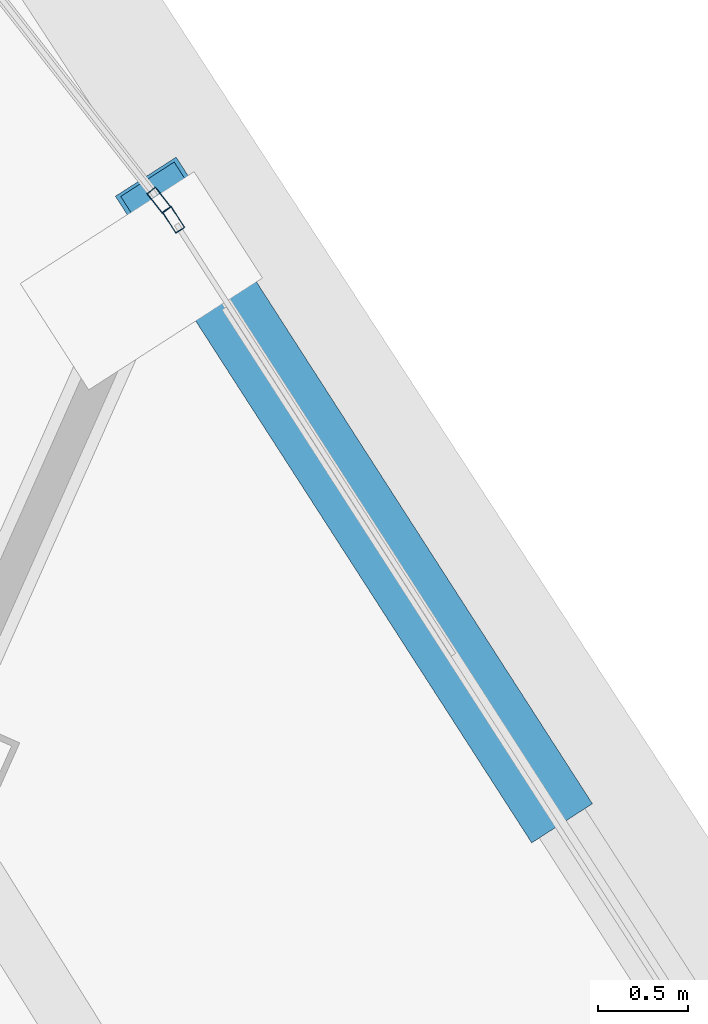
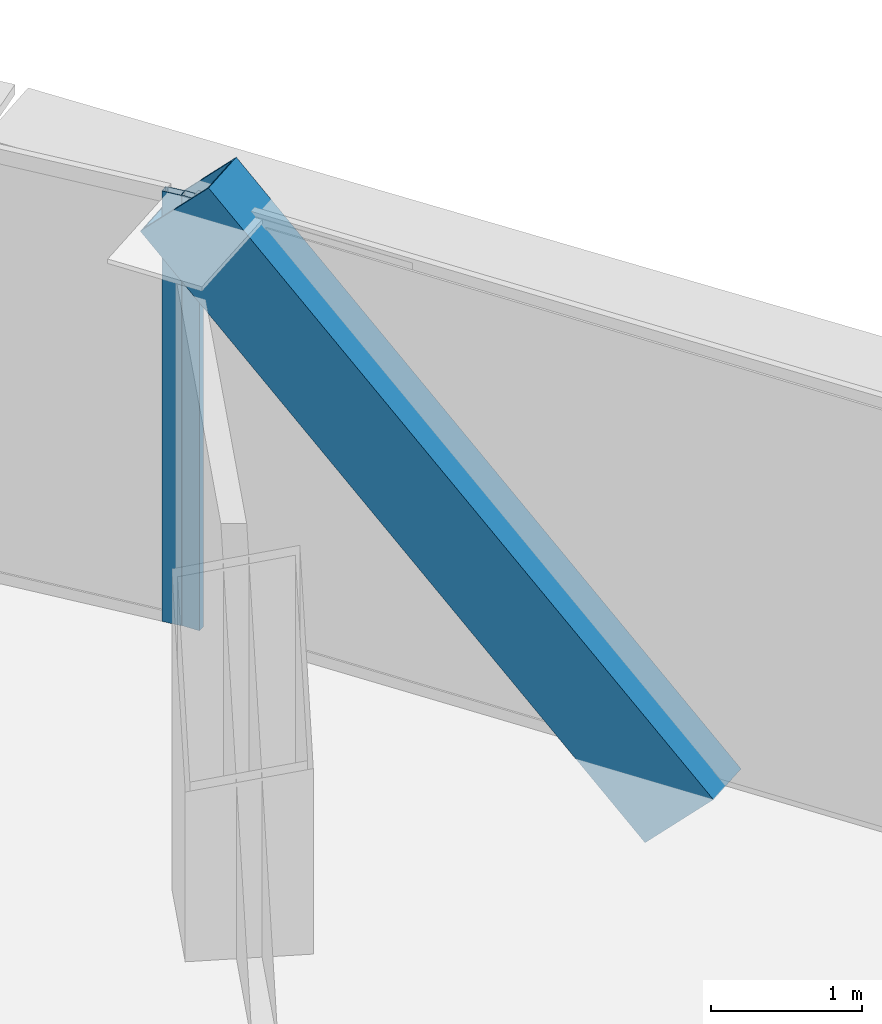
# One storey, part 20 of 35: 3 members, 2 elements without a shape of their own.
"""IFC4 building model written with IfcOpenShell, lengths in metres."""

from ifc_helpers import new_model, si_unit, direction, frame, origin, origin_2d, place, context, subcontext, project, spatial, hollow_rectangle, extrude, source, transform, mapped, material, layer, layer_set, material_profile, profile_set, type_object, element, aggregate, save


model = new_model("IFC4")

# Units and contexts
model_context = context("Model", 3, precision=1e-05, world=origin(), true_north=direction((0.0, 1.0)))
body_context = subcontext(model_context, "Body", "Model", "MODEL_VIEW")
ifc_project = project(units=[si_unit("LENGTHUNIT", "METRE"), si_unit("AREAUNIT", "SQUARE_METRE"), si_unit("VOLUMEUNIT", "CUBIC_METRE"), si_unit("PLANEANGLEUNIT", "RADIAN"), si_unit("MASSUNIT", "GRAM", prefix="KILO"), si_unit("THERMODYNAMICTEMPERATUREUNIT", "KELVIN"), si_unit("POWERUNIT", "WATT")], contexts=[model_context])

# Site, building, storey
site_placement = place(None, origin())
site = spatial("IfcSite", under=ifc_project, at=site_placement, CompositionType="ELEMENT")
building_placement = place(site_placement, origin())
building = spatial("IfcBuilding", under=site, at=building_placement, Name="Yunzhuo Pagoda Commons", CompositionType="ELEMENT")
storey_placement = place(building_placement, frame((0.0, 0.0, 237.070068359375)))
storey = spatial("IfcBuildingStorey", under=building, at=storey_placement, Name="L59", CompositionType="ELEMENT", Elevation=237.070068359375)

# Member
ifc_material_1 = material(Name="Structural steel Q355B", Category="steel")
ifc_material_profile_1 = material_profile(ifc_material_1, hollow_rectangle(XDim=0.39990234375, YDim=0.719970703125, WallThickness=0.02392578125, at=origin_2d()), Name="Structural steel Q355B")
ifc_profile_set_1 = profile_set([ifc_material_profile_1], Name="Structural steel Q355B")
member_type_1 = type_object("IfcMemberType", Name="M-DL2 Brace BOX 720x400x24", PredefinedType="BRACE", material=ifc_profile_set_1)
shared_shape_1 = source(origin(), body_context, "Body", "SweptSolid", [
    extrude(hollow_rectangle(XDim=0.39990234375, YDim=0.719970703125, WallThickness=0.02392578125, at=origin_2d()), origin(), (0.0, 0.0, 1.0), 5.28857421875),
])
member_1_placement = place(storey_placement, frame((64.832763671875, 63.795654296875, -0.260009765625), z_axis=(-0.383759271074, 0.596066366909, 0.705289804339), x_axis=(-0.840810137559, -0.541330132708, 0.0)))
element("IfcMember", 1, at=member_1_placement, inside=storey, type_object=member_type_1, Name="L59 facade diamond brace F2.3R", PredefinedType="BRACE", context=body_context, shape_type="MappedRepresentation", body=[
    mapped(shared_shape_1, transform((0.0, 0.0, 0.0), scale=1.0)),
])

# Curtain wall, member
ifc_material_2 = material(Name="Anodized aluminium 6063-T6", Category="aluminium")
ifc_layer = layer(ifc_material_2, 0.139892578125)
ifc_layer_set = layer_set([ifc_layer], Name="Anodized aluminium 6063-T6")
curtain_wall_type = type_object("IfcCurtainWallType", Name="CW-HI High-Zone Ribbon Curtain Wall", PredefinedType="NOTDEFINED", material=ifc_layer_set)
curtain_wall_1_placement = place(storey_placement, origin())
curtain_wall_1 = element("IfcCurtainWall", 2, at=curtain_wall_1_placement, inside=storey, type_object=curtain_wall_type, Name="L59 curtain wall CW-L59-F2B4", PredefinedType="NOTDEFINED")
ifc_material_profile_2 = material_profile(ifc_material_2, hollow_rectangle(XDim=0.06005859375, YDim=0.139892578125, WallThickness=0.00341796875, at=origin_2d()), Name="Anodized aluminium 6063-T6")
ifc_profile_set_2 = profile_set([ifc_material_profile_2], Name="Anodized aluminium 6063-T6")
member_type_2 = type_object("IfcMemberType", Name="CW-HI-M Mullion RHS 140x60x3.5", PredefinedType="MULLION", material=ifc_profile_set_2)
shared_shape_2 = source(origin(), body_context, "Body", "SweptSolid", [
    extrude(hollow_rectangle(XDim=0.06005859375, YDim=0.139892578125, WallThickness=0.00341796875, at=origin_2d()), origin(), (0.0, 0.0, 1.0), 3.469970703125),
])
member_2_placement = place(storey_placement, frame((62.8193359375, 66.9228515625, 0.0), z_axis=(0.0, 0.0, 1.0), x_axis=(-0.840807373352, -0.541334426133, 0.0)))
member_2 = element("IfcMember", 3, at=member_2_placement, type_object=member_type_2, Name="CW mullion 2", PredefinedType="MULLION", context=body_context, shape_type="MappedRepresentation", body=[
    mapped(shared_shape_2, transform((0.0, 0.0, 0.0), scale=1.0)),
])
aggregate(curtain_wall_1, [member_2])

curtain_wall_2_placement = place(storey_placement, origin())
curtain_wall_2 = element("IfcCurtainWall", 4, at=curtain_wall_2_placement, inside=storey, type_object=curtain_wall_type, Name="L59 curtain wall CW-L59-F2B5", PredefinedType="NOTDEFINED")
member_3_placement = place(storey_placement, frame((62.73828125, 67.03076171875, 0.0), z_axis=(0.0, 0.0, 1.0), x_axis=(-0.787639445288, -0.616136433127, 0.0)))
member_3 = element("IfcMember", 5, at=member_3_placement, type_object=member_type_2, Name="CW mullion 1", PredefinedType="MULLION", context=body_context, shape_type="MappedRepresentation", body=[
    mapped(shared_shape_2, transform((0.0, 0.0, 0.0), scale=1.0)),
])
aggregate(curtain_wall_2, [member_3])

save(model, "model.ifc")
